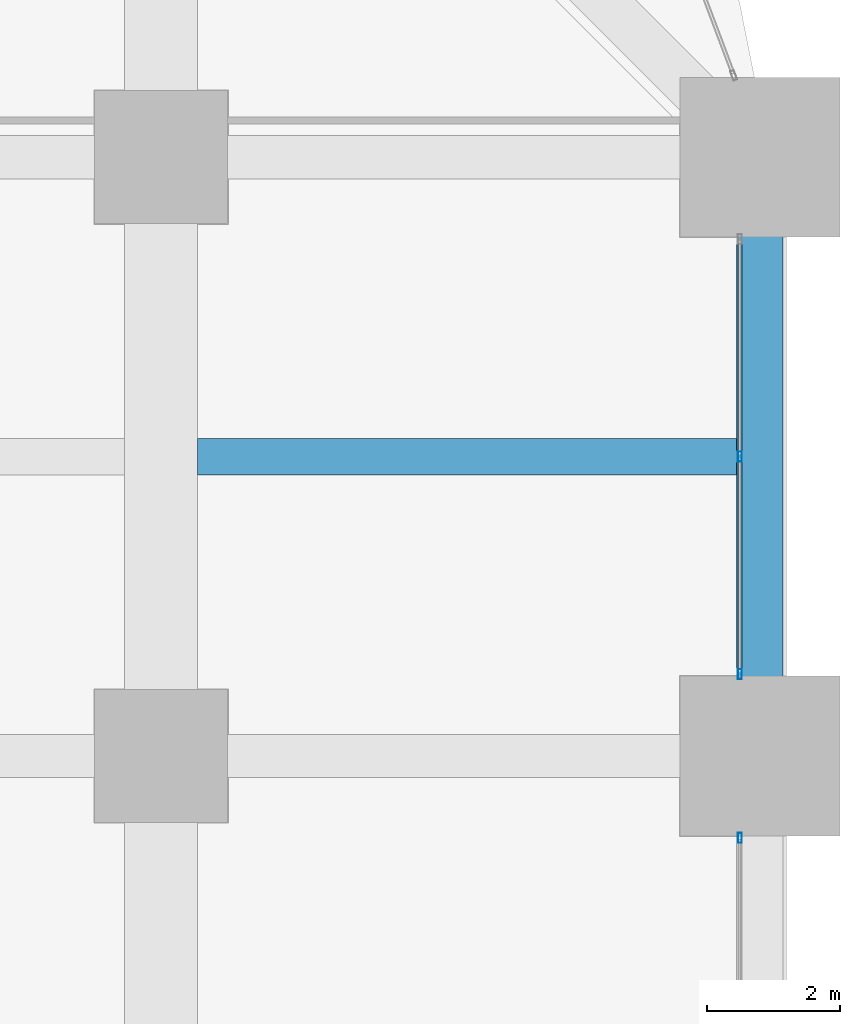
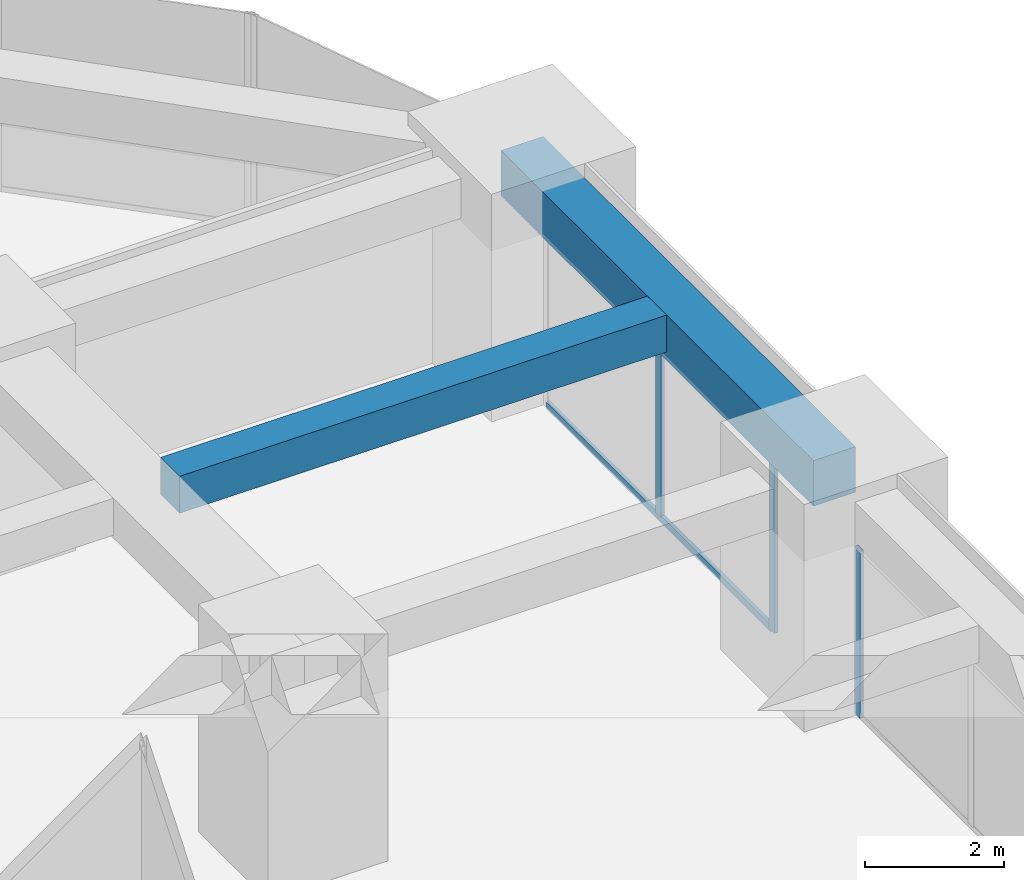
# One storey, part 23 of 39: 4 members, 2 beams, 2 elements without a shape of their own.
"""IFC4 building model written with IfcOpenShell, lengths in metres."""

from ifc_helpers import new_model, si_unit, direction, frame, origin, origin_2d, place, context, subcontext, project, spatial, rectangle, hollow_rectangle, extrude, material, material_profile, profile_set, type_object, element, aggregate, save


model = new_model("IFC4")

# Units and contexts
model_context = context("Model", 3, precision=1e-05, world=origin(), true_north=direction((0.0, 1.0)))
body_context = subcontext(model_context, "Body", "Model", "MODEL_VIEW")
ifc_project = project(units=[si_unit("LENGTHUNIT", "METRE"), si_unit("AREAUNIT", "SQUARE_METRE"), si_unit("VOLUMEUNIT", "CUBIC_METRE"), si_unit("PLANEANGLEUNIT", "RADIAN"), si_unit("MASSUNIT", "GRAM", prefix="KILO")], contexts=[model_context])

# Site, building, storey
site_placement = place(None, origin())
site = spatial("IfcSite", under=ifc_project, at=site_placement, CompositionType="ELEMENT")
building_placement = place(site_placement, origin())
building = spatial("IfcBuilding", under=site, at=building_placement, Name="Zorevar Civic Tower", CompositionType="ELEMENT")
storey_placement = place(building_placement, frame((0.0, 0.0, 121.0)))
storey = spatial("IfcBuildingStorey", under=building, at=storey_placement, Name="L29", CompositionType="ELEMENT", Elevation=121.0)

# Beam
ifc_material_1 = material(Name="Concrete C50/60", Category="concrete")
ifc_material_profile_1 = material_profile(ifc_material_1, rectangle(XDim=0.550048828125, YDim=0.64990234375, at=origin_2d()), Name="RC 550x650")
ifc_profile_set_1 = profile_set([ifc_material_profile_1], Name="Concrete C50/60")
beam_type_1 = type_object("IfcBeamType", Name="Beam RC 550x650", PredefinedType="BEAM", material=ifc_profile_set_1)
beam_1_placement = place(storey_placement, frame((54.550048828125, 31.5, 3.425048828125), z_axis=(1.0, 0.0, 0.0), x_axis=(0.0, 1.0, 0.0)))
element("IfcBeam", 1, at=beam_1_placement, inside=storey, type_object=beam_type_1, Name="Secondary beam L30", PredefinedType="BEAM", context=body_context, shape_type="SweptSolid", body=[
    extrude(rectangle(XDim=0.550048828125, YDim=0.64990234375, at=origin_2d()), origin(), (0.0, 0.0, 1.0), 8.099853515625),
])

# Curtain wall, member
ifc_material_2 = material(Name="Dark grey solar-control glass in black aluminium frame", Category="aluminium")
curtain_wall_type = type_object("IfcCurtainWallType", Name="Curtain wall CW3 mid zone", PredefinedType="NOTDEFINED", material=ifc_material_2)
curtain_wall_1_placement = place(storey_placement, origin())
curtain_wall_1 = element("IfcCurtainWall", 2, at=curtain_wall_1_placement, inside=storey, type_object=curtain_wall_type, Name="CW3 L29", PredefinedType="NOTDEFINED")
ifc_material_3 = material(Name="Aluminium, black anodised", Category="aluminium")
ifc_material_profile_2 = material_profile(ifc_material_3, hollow_rectangle(XDim=0.06005859375, YDim=0.14990234375, WallThickness=0.00390625, at=origin_2d()), Name="AL 150x60x4")
ifc_profile_set_2 = profile_set([ifc_material_profile_2], Name="Aluminium, black anodised")
member_type_1 = type_object("IfcMemberType", Name="CW3 mullion AL 150x60x4", PredefinedType="MULLION", material=ifc_profile_set_2)
member_1_placement = place(storey_placement, frame((62.699951171875, 25.77001953125, 0.0), z_axis=(0.0, 0.0, 1.0), x_axis=(-1.0, 0.0, 0.0)))
member_1 = element("IfcMember", 3, at=member_1_placement, type_object=member_type_1, Name="CW3 mullion 3", PredefinedType="MULLION", context=body_context, shape_type="SweptSolid", body=[
    extrude(hollow_rectangle(XDim=0.06005859375, YDim=0.14990234375, WallThickness=0.00390625, at=origin_2d()), origin(), (0.0, 0.0, 1.0), 2.949951171875),
])
aggregate(curtain_wall_1, [member_1])

# Curtain wall, members
curtain_wall_2_placement = place(storey_placement, origin())
curtain_wall_2 = element("IfcCurtainWall", 4, at=curtain_wall_2_placement, inside=storey, type_object=curtain_wall_type, Name="CW3 L29", PredefinedType="NOTDEFINED")
member_2_placement = place(storey_placement, frame((62.699951171875, 28.22998046875, 0.0), z_axis=(0.0, 0.0, 1.0), x_axis=(-1.0, 0.0, 0.0)))
member_2 = element("IfcMember", 5, at=member_2_placement, type_object=member_type_1, Name="CW3 mullion 1", PredefinedType="MULLION", context=body_context, shape_type="SweptSolid", body=[
    extrude(hollow_rectangle(XDim=0.06005859375, YDim=0.14990234375, WallThickness=0.00390625, at=origin_2d()), origin(), (0.0, 0.0, 1.0), 2.949951171875),
])
member_3_placement = place(storey_placement, frame((62.699951171875, 31.5, 0.06005859375), z_axis=(0.0, 0.0, 1.0), x_axis=(-1.0, 0.0, 0.0)))
member_3 = element("IfcMember", 6, at=member_3_placement, type_object=member_type_1, Name="CW3 mullion 2", PredefinedType="MULLION", context=body_context, shape_type="SweptSolid", body=[
    extrude(hollow_rectangle(XDim=0.06005859375, YDim=0.14990234375, WallThickness=0.00390625, at=origin_2d()), origin(), (0.0, 0.0, 1.0), 2.889892578125),
])
ifc_material_4 = material(Name="Aluminium, black anodised", Category="aluminium")
ifc_material_profile_3 = material_profile(ifc_material_4, hollow_rectangle(XDim=0.06005859375, YDim=0.1201171875, WallThickness=0.0029296875, at=origin_2d()), Name="AL 120x60x3")
ifc_profile_set_3 = profile_set([ifc_material_profile_3], Name="Aluminium, black anodised")
member_type_2 = type_object("IfcMemberType", Name="CW3 transom AL 120x60x3", PredefinedType="USERDEFINED", material=ifc_profile_set_3)
member_4_placement = place(storey_placement, frame((62.699951171875, 28.260009765625, 0.030029296875), z_axis=(0.0, 1.0, 0.0), x_axis=(-1.0, 0.0, 0.0)))
member_4 = element("IfcMember", 7, at=member_4_placement, type_object=member_type_2, Name="CW3 sill transom", ObjectType="TRANSOM", PredefinedType="USERDEFINED", context=body_context, shape_type="SweptSolid", body=[
    extrude(hollow_rectangle(XDim=0.06005859375, YDim=0.1201171875, WallThickness=0.0029296875, at=origin_2d()), origin(), (0.0, 0.0, 1.0), 6.47998046875),
])
aggregate(curtain_wall_2, [member_2, member_3, member_4])

# Beam
ifc_material_5 = material(Name="Concrete C50/60", Category="concrete")
ifc_material_profile_4 = material_profile(ifc_material_5, rectangle(XDim=0.699951171875, YDim=0.800048828125, at=origin_2d()), Name="RC 700x800")
ifc_profile_set_4 = profile_set([ifc_material_profile_4], Name="Concrete C50/60")
beam_type_2 = type_object("IfcBeamType", Name="Edge beam RC 700x800", PredefinedType="SPANDREL", material=ifc_profile_set_4)
beam_2_placement = place(storey_placement, frame((63.0, 27.0, 3.35009765625), z_axis=(0.0, 1.0, 0.0), x_axis=(-1.0, 0.0, 0.0)))
element("IfcBeam", 8, at=beam_2_placement, inside=storey, type_object=beam_type_2, Name="Edge beam L30", PredefinedType="SPANDREL", context=body_context, shape_type="SweptSolid", body=[
    extrude(rectangle(XDim=0.699951171875, YDim=0.800048828125, at=origin_2d()), origin(), (0.0, 0.0, 1.0), 9.0),
])

save(model, "model.ifc")
